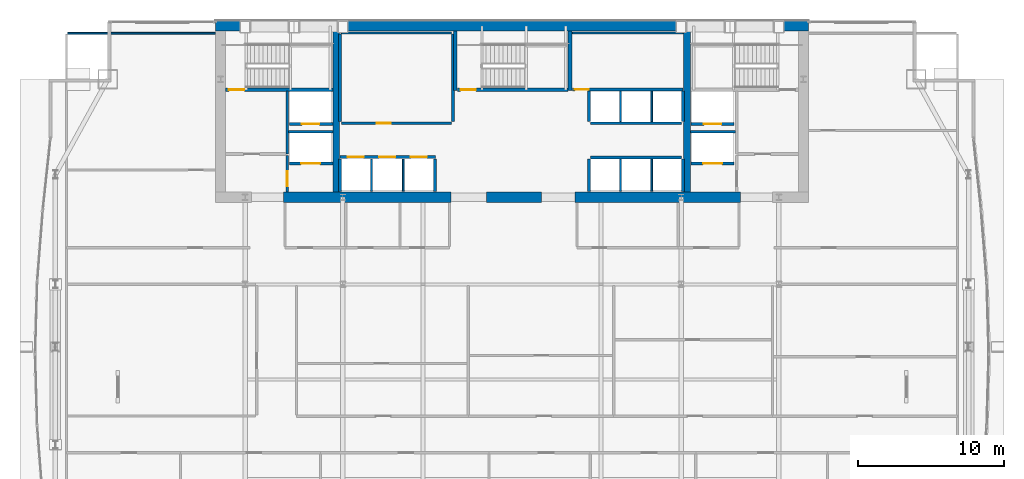
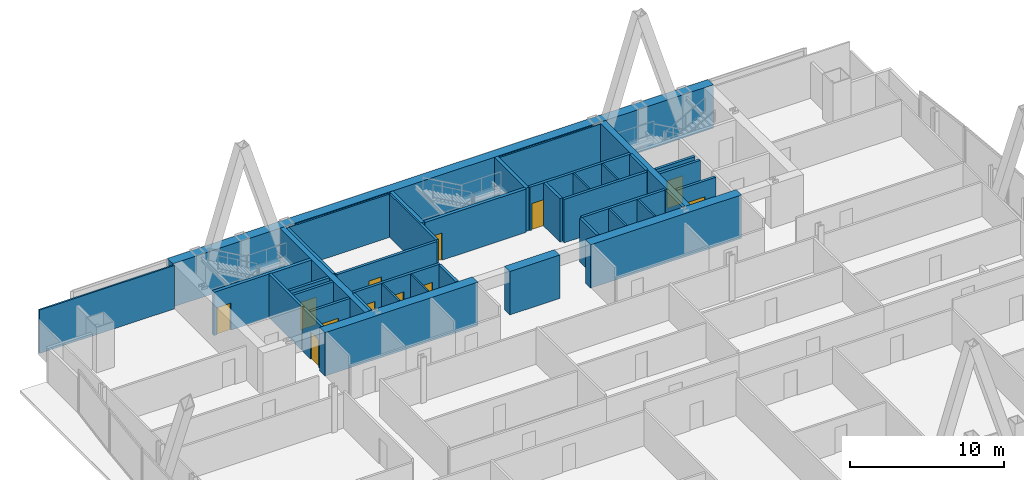
# One storey, part 27 of 30: 40 walls, 12 doors, 12 openings.
"""IFC4 building model written with IfcOpenShell, lengths in metres."""

from ifc_helpers import new_model, si_unit, direction, frame, frame_2d, origin, place, context, subcontext, project, spatial, rectangle, extrude, material, layer, layer_set, type_object, element, fill, save


model = new_model("IFC4")

# Units and contexts
model_context = context("Model", 3, precision=1e-05, world=origin(), true_north=direction((0.0, 1.0)))
body_context = subcontext(model_context, "Body", "Model", "MODEL_VIEW")
ifc_project = project(units=[si_unit("LENGTHUNIT", "METRE"), si_unit("AREAUNIT", "SQUARE_METRE"), si_unit("VOLUMEUNIT", "CUBIC_METRE"), si_unit("PLANEANGLEUNIT", "RADIAN"), si_unit("MASSUNIT", "GRAM", prefix="KILO")], contexts=[model_context])

# Site, building, storey
site_placement = place(None, origin())
site = spatial("IfcSite", under=ifc_project, at=site_placement, CompositionType="ELEMENT")
building_placement = place(site_placement, origin())
building = spatial("IfcBuilding", under=site, at=building_placement, Name="Khoronbel Lancet Exchange", CompositionType="ELEMENT")
storey_placement = place(building_placement, frame((0.0, 0.0, 136.199951171875)))
storey = spatial("IfcBuildingStorey", under=building, at=storey_placement, Name="L33", CompositionType="ELEMENT", Elevation=136.199951171875)

# Walls
ifc_material_1 = material(Name="Concrete C80/95", Category="concrete")
ifc_layer_1 = layer(ifc_material_1, 0.699951171875, Name="Concrete C80/95")
ifc_layer_set_1 = layer_set([ifc_layer_1], Name="Concrete C80/95")
wall_type_1 = type_object("IfcWallType", Name="WL-CW2", PredefinedType="SHEAR", material=ifc_layer_set_1)
wall_1_placement = place(storey_placement, frame((16.199951171875, 53.35009765625, 0.0), z_axis=(0.0, 0.0, 1.0), x_axis=(1.0, 0.0, 0.0)))
element("IfcWall", 1, at=wall_1_placement, inside=storey, type_object=wall_type_1, Name="Level L33 rear core north shear wall", PredefinedType="SHEAR", context=body_context, shape_type="SweptSolid", body=[
    extrude(rectangle(XDim=40.5, YDim=0.699951171875, at=frame_2d((20.25, 0.0))), origin(), (0.0, 0.0, 1.0), 3.43994140625),
])
wall_2_placement = place(storey_placement, frame((32.300048828125, 41.64990234375, 0.0), z_axis=(0.0, 0.0, 1.0), x_axis=(-1.0, 0.0, 0.0)))
element("IfcWall", 2, at=wall_2_placement, inside=storey, type_object=wall_type_1, Name="Level L33 rear core south shear wall pier P2", PredefinedType="SHEAR", context=body_context, shape_type="SweptSolid", body=[
    extrude(rectangle(XDim=11.449951171875, YDim=0.699951171875, at=frame_2d((5.72509765625, 0.0))), origin(), (0.0, 0.0, 1.0), 3.43994140625),
])
wall_3_placement = place(storey_placement, frame((38.449951171875, 41.64990234375, 0.0), z_axis=(0.0, 0.0, 1.0), x_axis=(-1.0, 0.0, 0.0)))
element("IfcWall", 3, at=wall_3_placement, inside=storey, type_object=wall_type_1, Name="Level L33 rear core south shear wall pier P3", PredefinedType="SHEAR", context=body_context, shape_type="SweptSolid", body=[
    extrude(rectangle(XDim=3.75, YDim=0.699951171875, at=frame_2d((1.875, 0.0))), origin(), (0.0, 0.0, 1.0), 3.43994140625),
])
wall_4_placement = place(storey_placement, frame((52.050048828125, 41.64990234375, 0.0), z_axis=(0.0, 0.0, 1.0), x_axis=(-1.0, 0.0, 0.0)))
element("IfcWall", 4, at=wall_4_placement, inside=storey, type_object=wall_type_1, Name="Level L33 rear core south shear wall pier P4", PredefinedType="SHEAR", context=body_context, shape_type="SweptSolid", body=[
    extrude(rectangle(XDim=11.300048828125, YDim=0.699951171875, at=frame_2d((5.64990234375, 0.0))), origin(), (0.0, 0.0, 1.0), 3.43994140625),
])
ifc_material_2 = material(Name="Acoustic Metal-Stud & Mineral-Wool Gypsum Partition 120 mm", Category="gypsum")
ifc_layer_2 = layer(ifc_material_2, 0.1201171875, Name="Acoustic Metal-Stud & Mineral-Wool Gypsum Partition 120 mm")
ifc_layer_set_2 = layer_set([ifc_layer_2], Name="Acoustic Metal-Stud & Mineral-Wool Gypsum Partition 120 mm")
wall_type_2 = type_object("IfcWallType", Name="WL-PRT120", PredefinedType="PARTITIONING", material=ifc_layer_set_2)
wall_5_placement = place(storey_placement, frame((6.094970703125, 52.840087890625, 0.0), z_axis=(0.0, 0.0, 1.0), x_axis=(1.0, 0.0, 0.0)))
element("IfcWall", 5, at=wall_5_placement, inside=storey, type_object=wall_type_2, Name="Level L33 interior partition PW-LIN-NW", PredefinedType="PARTITIONING", context=body_context, shape_type="SweptSolid", body=[
    extrude(rectangle(XDim=10.10498046875, YDim=0.1201171875, at=frame_2d((5.052490234375, 0.0))), origin(), (0.0, 0.0, 1.0), 3.43994140625),
])
ifc_material_3 = material(Name="Fire-Rated Metal-Stud & Mineral-Wool Gypsum Partition 120 mm", Category="gypsum")
ifc_layer_3 = layer(ifc_material_3, 0.1201171875, Name="Fire-Rated Metal-Stud & Mineral-Wool Gypsum Partition 120 mm")
ifc_layer_set_3 = layer_set([ifc_layer_3], Name="Fire-Rated Metal-Stud & Mineral-Wool Gypsum Partition 120 mm")
wall_type_3 = type_object("IfcWallType", Name="WL-PRT120F", PredefinedType="PARTITIONING", material=ifc_layer_set_3)
wall_6_placement = place(storey_placement, frame((24.804931640625, 52.860107421875, 0.0), z_axis=(0.0, 0.0, 1.0), x_axis=(1.0, 0.0, 0.0)))
element("IfcWall", 6, at=wall_6_placement, inside=storey, type_object=wall_type_3, Name="Level L33 interior partition CW-PL-RN", PredefinedType="PARTITIONING", context=body_context, shape_type="SweptSolid", body=[
    extrude(rectangle(XDim=7.510009765625, YDim=0.1201171875, at=frame_2d((3.7548828125, 0.0))), origin(), (0.0, 0.0, 1.0), 3.43994140625),
])
for number, where, z_axis, x_axis, name in (
    (7, (26.860107421875, 42.050048828125, 0.0), (0.0, 0.0, 1.0), (0.0, 1.0, 0.0), "Level L33 interior partition CW-PM-D1"),
    (8, (29.02001953125, 42.050048828125, 0.0), (0.0, 0.0, 1.0), (0.0, 1.0, 0.0), "Level L33 interior partition CW-PM-D2"),
):
    element("IfcWall", number, at=place(storey_placement, frame(where, z_axis=z_axis, x_axis=x_axis)), inside=storey, type_object=wall_type_3, Name=name, PredefinedType="PARTITIONING", context=body_context, shape_type="SweptSolid", body=[
        extrude(rectangle(XDim=2.199951171875, YDim=0.1201171875, at=frame_2d((1.10009765625, 0.0))), origin(), (0.0, 0.0, 1.0), 3.43994140625),
    ])
for number, where, z_axis, x_axis, name in (
    (9, (43.860107421875, 46.804931640625, 0.0), (0.0, 0.0, 1.0), (0.0, 1.0, 0.0), "Level L33 interior partition CW-PH-D1"),
    (10, (46.0, 46.804931640625, 0.0), (0.0, 0.0, 1.0), (0.0, 1.0, 0.0), "Level L33 interior partition CW-PH-D2"),
):
    element("IfcWall", number, at=place(storey_placement, frame(where, z_axis=z_axis, x_axis=x_axis)), inside=storey, type_object=wall_type_3, Name=name, PredefinedType="PARTITIONING", context=body_context, shape_type="SweptSolid", body=[
        extrude(rectangle(XDim=2.090087890625, YDim=0.1201171875, at=frame_2d((1.044921875, 0.0))), origin(), (0.0, 0.0, 1.0), 3.43994140625),
    ])
for number, where, z_axis, x_axis, name in (
    (11, (43.860107421875, 42.050048828125, 0.0), (0.0, 0.0, 1.0), (0.0, 1.0, 0.0), "Level L33 interior partition CW-PX-D1"),
    (12, (46.0, 42.050048828125, 0.0), (0.0, 0.0, 1.0), (0.0, 1.0, 0.0), "Level L33 interior partition CW-PX-D2"),
):
    element("IfcWall", number, at=place(storey_placement, frame(where, z_axis=z_axis, x_axis=x_axis)), inside=storey, type_object=wall_type_3, Name=name, PredefinedType="PARTITIONING", context=body_context, shape_type="SweptSolid", body=[
        extrude(rectangle(XDim=2.195068359375, YDim=0.1201171875, at=frame_2d((1.09765625, 0.0))), origin(), (0.0, 0.0, 1.0), 3.43994140625),
    ])
wall_7_placement = place(storey_placement, frame((40.580078125, 52.860107421875, 0.0), z_axis=(0.0, 0.0, 1.0), x_axis=(1.0, 0.0, 0.0)))
element("IfcWall", 13, at=wall_7_placement, inside=storey, type_object=wall_type_3, Name="Level L33 interior partition CW-SUP-NE-N", PredefinedType="PARTITIONING", context=body_context, shape_type="SweptSolid", body=[
    extrude(rectangle(XDim=7.559814453125, YDim=0.1201171875, at=frame_2d((3.77978515625, 0.0))), origin(), (0.0, 0.0, 1.0), 3.43994140625),
])

# Wall, openings, doors
ifc_material_4 = material(Name="Autoclaved Aerated Concrete Blockwork 200 mm", Category="masonry")
ifc_layer_4 = layer(ifc_material_4, 0.199951171875, Name="Autoclaved Aerated Concrete Blockwork 200 mm")
ifc_layer_set_4 = layer_set([ifc_layer_4], Name="Autoclaved Aerated Concrete Blockwork 200 mm")
wall_type_4 = type_object("IfcWallType", Name="WL-PRT200", PredefinedType="PARTITIONING", material=ifc_layer_set_4)
wall_8_placement = place(storey_placement, frame((24.68994140625, 44.39990234375, 0.0), z_axis=(0.0, 0.0, 1.0), x_axis=(1.0, 0.0, 0.0)))
wall_8 = element("IfcWall", 14, at=wall_8_placement, inside=storey, type_object=wall_type_4, Name="Level L33 elevator hoistway landing front wall PMW", PredefinedType="PARTITIONING", context=body_context, shape_type="SweptSolid", body=[
    extrude(rectangle(XDim=6.530029296875, YDim=0.199951171875, at=frame_2d((3.26513671875, 0.0))), origin(), (0.0, 0.0, 1.0), 3.43994140625),
])
opening_1_placement = place(wall_8_placement, frame((0.530029296875, 0.0, 0.0)))
opening_1 = element("IfcOpeningElement", 15, at=opening_1_placement, cuts=wall_8, Name="Opening LD-PM1", PredefinedType="OPENING", context=body_context, shape_type="SweptSolid", body=[
    extrude(rectangle(XDim=1.10009765625, YDim=2.179931640625, at=frame_2d((0.550048828125, 1.08984375))), frame((0.0, 0.10986328125, 0.0), z_axis=(0.0, -1.0, 0.0), x_axis=(1.0, 0.0, 0.0)), (0.0, 0.0, 1.0), 0.219970703125),
])
opening_2_placement = place(wall_8_placement, frame((2.68994140625, 0.0, 0.0)))
opening_2 = element("IfcOpeningElement", 16, at=opening_2_placement, cuts=wall_8, Name="Opening LD-PM2", PredefinedType="OPENING", context=body_context, shape_type="SweptSolid", body=[
    extrude(rectangle(XDim=1.10009765625, YDim=2.179931640625, at=frame_2d((0.550048828125, 1.08984375))), frame((0.0, 0.10986328125, 0.0), z_axis=(0.0, -1.0, 0.0), x_axis=(1.0, 0.0, 0.0)), (0.0, 0.0, 1.0), 0.219970703125),
])
opening_3_placement = place(wall_8_placement, frame((4.85009765625, 0.0, 0.0)))
opening_3 = element("IfcOpeningElement", 17, at=opening_3_placement, cuts=wall_8, Name="Opening LD-PM3", PredefinedType="OPENING", context=body_context, shape_type="SweptSolid", body=[
    extrude(rectangle(XDim=1.10009765625, YDim=2.179931640625, at=frame_2d((0.550048828125, 1.08984375))), frame((0.0, 0.10986328125, 0.0), z_axis=(0.0, -1.0, 0.0), x_axis=(1.0, 0.0, 0.0)), (0.0, 0.0, 1.0), 0.219970703125),
])
ifc_material_5 = material(Name="Brushed Bronze Bi-Parting Elevator Landing Door", Category="steel")
door_type_1 = type_object("IfcDoorType", Name="DR-LD-PAX", OperationType="NOTDEFINED", PredefinedType="DOOR", material=ifc_material_5)
door_1_placement = place(opening_1_placement, origin())
door_1 = element("IfcDoor", 18, at=door_1_placement, inside=storey, type_object=door_type_1, Name="Elevator landing sliding door LD-PM1 L33", OperationType="SLIDING_TO_LEFT", OverallHeight=2.179931640625, OverallWidth=1.10009765625, PredefinedType="DOOR", context=body_context, shape_type="SweptSolid", body=[
    extrude(rectangle(XDim=1.10009765625, YDim=2.179931640625, at=frame_2d((0.550048828125, 1.08984375))), frame((0.0, 0.02490234375, 0.0), z_axis=(0.0, -1.0, 0.0), x_axis=(1.0, 0.0, 0.0)), (0.0, 0.0, 1.0), 0.050048828125),
])
fill(opening_1, door_1)
door_2_placement = place(opening_2_placement, origin())
door_2 = element("IfcDoor", 19, at=door_2_placement, inside=storey, type_object=door_type_1, Name="Elevator landing sliding door LD-PM2 L33", OperationType="SLIDING_TO_LEFT", OverallHeight=2.179931640625, OverallWidth=1.10009765625, PredefinedType="DOOR", context=body_context, shape_type="SweptSolid", body=[
    extrude(rectangle(XDim=1.10009765625, YDim=2.179931640625, at=frame_2d((0.550048828125, 1.08984375))), frame((0.0, 0.02490234375, 0.0), z_axis=(0.0, -1.0, 0.0), x_axis=(1.0, 0.0, 0.0)), (0.0, 0.0, 1.0), 0.050048828125),
])
fill(opening_2, door_2)
door_3_placement = place(opening_3_placement, origin())
door_3 = element("IfcDoor", 20, at=door_3_placement, inside=storey, type_object=door_type_1, Name="Elevator landing sliding door LD-PM3 L33", OperationType="SLIDING_TO_LEFT", OverallHeight=2.179931640625, OverallWidth=1.10009765625, PredefinedType="DOOR", context=body_context, shape_type="SweptSolid", body=[
    extrude(rectangle(XDim=1.10009765625, YDim=2.179931640625, at=frame_2d((0.550048828125, 1.08984375))), frame((0.0, 0.02490234375, 0.0), z_axis=(0.0, -1.0, 0.0), x_axis=(1.0, 0.0, 0.0)), (0.0, 0.0, 1.0), 0.050048828125),
])
fill(opening_3, door_3)

# Wall, opening, door
wall_9_placement = place(storey_placement, frame((51.610107421875, 43.949951171875, 0.0), z_axis=(0.0, 0.0, 1.0), x_axis=(-1.0, 0.0, 0.0)))
wall_9 = element("IfcWall", 21, at=wall_9_placement, inside=storey, type_object=wall_type_4, Name="Level L33 elevator hoistway landing front wall SVLE", PredefinedType="PARTITIONING", context=body_context, shape_type="SweptSolid", body=[
    extrude(rectangle(XDim=2.920166015625, YDim=0.199951171875, at=frame_2d((1.4599609375, 0.0))), origin(), (0.0, 0.0, 1.0), 3.43994140625),
])
opening_4_placement = place(wall_9_placement, frame((0.81005859375, 0.0, 0.0)))
opening_4 = element("IfcOpeningElement", 22, at=opening_4_placement, cuts=wall_9, Name="Opening LD-SVL2", PredefinedType="OPENING", context=body_context, shape_type="SweptSolid", body=[
    extrude(rectangle(XDim=1.300048828125, YDim=2.179931640625, at=frame_2d((0.64990234375, 1.08984375))), frame((0.0, 0.10986328125, 0.0), z_axis=(0.0, -1.0, 0.0), x_axis=(1.0, 0.0, 0.0)), (0.0, 0.0, 1.0), 0.219970703125),
])
ifc_material_6 = material(Name="Heavy-Duty Bi-Parting Goods Lift Landing Door", Category="steel")
door_type_2 = type_object("IfcDoorType", Name="DR-LD-SVL", OperationType="NOTDEFINED", PredefinedType="DOOR", material=ifc_material_6)
door_4_placement = place(opening_4_placement, origin())
door_4 = element("IfcDoor", 23, at=door_4_placement, inside=storey, type_object=door_type_2, Name="Elevator landing sliding door LD-SVL2 L33", OperationType="SLIDING_TO_LEFT", OverallHeight=2.179931640625, OverallWidth=1.300048828125, PredefinedType="DOOR", context=body_context, shape_type="SweptSolid", body=[
    extrude(rectangle(XDim=1.300048828125, YDim=2.179931640625, at=frame_2d((0.64990234375, 1.08984375))), frame((0.0, 0.02490234375, 0.0), z_axis=(0.0, -1.0, 0.0), x_axis=(1.0, 0.0, 0.0)), (0.0, 0.0, 1.0), 0.050048828125),
])
fill(opening_4, door_4)

wall_10_placement = place(storey_placement, frame((24.2099609375, 43.949951171875, 0.0), z_axis=(0.0, 0.0, 1.0), x_axis=(-1.0, 0.0, 0.0)))
wall_10 = element("IfcWall", 24, at=wall_10_placement, inside=storey, type_object=wall_type_4, Name="Level L33 elevator hoistway landing front wall SVLW", PredefinedType="PARTITIONING", context=body_context, shape_type="SweptSolid", body=[
    extrude(rectangle(XDim=2.969970703125, YDim=0.199951171875, at=frame_2d((1.48486328125, 0.0))), origin(), (0.0, 0.0, 1.0), 3.43994140625),
])
opening_5_placement = place(wall_10_placement, frame((0.860107421875, 0.0, 0.0)))
opening_5 = element("IfcOpeningElement", 25, at=opening_5_placement, cuts=wall_10, Name="Opening LD-SVL1", PredefinedType="OPENING", context=body_context, shape_type="SweptSolid", body=[
    extrude(rectangle(XDim=1.300048828125, YDim=2.179931640625, at=frame_2d((0.64990234375, 1.08984375))), frame((0.0, 0.10986328125, 0.0), z_axis=(0.0, -1.0, 0.0), x_axis=(1.0, 0.0, 0.0)), (0.0, 0.0, 1.0), 0.219970703125),
])
door_5_placement = place(opening_5_placement, origin())
door_5 = element("IfcDoor", 26, at=door_5_placement, inside=storey, type_object=door_type_2, Name="Elevator landing sliding door LD-SVL1 L33", OperationType="SLIDING_TO_LEFT", OverallHeight=2.179931640625, OverallWidth=1.300048828125, PredefinedType="DOOR", context=body_context, shape_type="SweptSolid", body=[
    extrude(rectangle(XDim=1.300048828125, YDim=2.179931640625, at=frame_2d((0.64990234375, 1.08984375))), frame((0.0, 0.02490234375, 0.0), z_axis=(0.0, -1.0, 0.0), x_axis=(1.0, 0.0, 0.0)), (0.0, 0.0, 1.0), 0.050048828125),
])
fill(opening_5, door_5)

wall_11_placement = place(storey_placement, frame((51.610107421875, 46.64990234375, 0.0), z_axis=(0.0, 0.0, 1.0), x_axis=(-1.0, 0.0, 0.0)))
wall_11 = element("IfcWall", 27, at=wall_11_placement, inside=storey, type_object=wall_type_4, Name="Level L33 elevator hoistway landing front wall FFLE", PredefinedType="PARTITIONING", context=body_context, shape_type="SweptSolid", body=[
    extrude(rectangle(XDim=2.920166015625, YDim=0.199951171875, at=frame_2d((1.4599609375, 0.0))), origin(), (0.0, 0.0, 1.0), 3.43994140625),
])
opening_6_placement = place(wall_11_placement, frame((0.860107421875, 0.0, 0.0)))
opening_6 = element("IfcOpeningElement", 28, at=opening_6_placement, cuts=wall_11, Name="Opening LD-FFL2", PredefinedType="OPENING", context=body_context, shape_type="SweptSolid", body=[
    extrude(rectangle(XDim=1.199951171875, YDim=2.179931640625, at=frame_2d((0.60009765625, 1.08984375))), frame((0.0, 0.10986328125, 0.0), z_axis=(0.0, -1.0, 0.0), x_axis=(1.0, 0.0, 0.0)), (0.0, 0.0, 1.0), 0.219970703125),
])
ifc_material_7 = material(Name="Fire-Rated Stainless Bi-Parting Firefighting Lift Door", Category="steel")
door_type_3 = type_object("IfcDoorType", Name="DR-LD-FFL", OperationType="NOTDEFINED", PredefinedType="DOOR", material=ifc_material_7)
door_6_placement = place(opening_6_placement, origin())
door_6 = element("IfcDoor", 29, at=door_6_placement, inside=storey, type_object=door_type_3, Name="Elevator landing sliding door LD-FFL2 L33", OperationType="SLIDING_TO_LEFT", OverallHeight=2.179931640625, OverallWidth=1.199951171875, PredefinedType="DOOR", context=body_context, shape_type="SweptSolid", body=[
    extrude(rectangle(XDim=1.199951171875, YDim=2.179931640625, at=frame_2d((0.60009765625, 1.08984375))), frame((0.0, 0.02490234375, 0.0), z_axis=(0.0, -1.0, 0.0), x_axis=(1.0, 0.0, 0.0)), (0.0, 0.0, 1.0), 0.050048828125),
])
fill(opening_6, door_6)

wall_12_placement = place(storey_placement, frame((24.2099609375, 46.64990234375, 0.0), z_axis=(0.0, 0.0, 1.0), x_axis=(-1.0, 0.0, 0.0)))
wall_12 = element("IfcWall", 30, at=wall_12_placement, inside=storey, type_object=wall_type_4, Name="Level L33 elevator hoistway landing front wall FFLW", PredefinedType="PARTITIONING", context=body_context, shape_type="SweptSolid", body=[
    extrude(rectangle(XDim=2.969970703125, YDim=0.199951171875, at=frame_2d((1.48486328125, 0.0))), origin(), (0.0, 0.0, 1.0), 3.43994140625),
])
opening_7_placement = place(wall_12_placement, frame((0.909912109375, 0.0, 0.0)))
opening_7 = element("IfcOpeningElement", 31, at=opening_7_placement, cuts=wall_12, Name="Opening LD-FFL1", PredefinedType="OPENING", context=body_context, shape_type="SweptSolid", body=[
    extrude(rectangle(XDim=1.199951171875, YDim=2.179931640625, at=frame_2d((0.60009765625, 1.08984375))), frame((0.0, 0.10986328125, 0.0), z_axis=(0.0, -1.0, 0.0), x_axis=(1.0, 0.0, 0.0)), (0.0, 0.0, 1.0), 0.219970703125),
])
door_7_placement = place(opening_7_placement, origin())
door_7 = element("IfcDoor", 32, at=door_7_placement, inside=storey, type_object=door_type_3, Name="Elevator landing sliding door LD-FFL1 L33", OperationType="SLIDING_TO_LEFT", OverallHeight=2.179931640625, OverallWidth=1.199951171875, PredefinedType="DOOR", context=body_context, shape_type="SweptSolid", body=[
    extrude(rectangle(XDim=1.199951171875, YDim=2.179931640625, at=frame_2d((0.60009765625, 1.08984375))), frame((0.0, 0.02490234375, 0.0), z_axis=(0.0, -1.0, 0.0), x_axis=(1.0, 0.0, 0.0)), (0.0, 0.0, 1.0), 0.050048828125),
])
fill(opening_7, door_7)

# Walls
wall_13_placement = place(storey_placement, frame((21.10009765625, 44.60009765625, 0.0), z_axis=(0.0, 0.0, 1.0), x_axis=(0.0, 1.0, 0.0)))
element("IfcWall", 33, at=wall_13_placement, inside=storey, type_object=wall_type_4, Name="Level L33 interior partition CW-FFLW-E", PredefinedType="PARTITIONING", context=body_context, shape_type="SweptSolid", body=[
    extrude(rectangle(XDim=4.2998046875, YDim=0.199951171875, at=frame_2d((2.14990234375, 0.0))), origin(), (0.0, 0.0, 1.0), 3.43994140625),
])
wall_14_placement = place(storey_placement, frame((21.199951171875, 46.1201171875, 0.0), z_axis=(0.0, 0.0, 1.0), x_axis=(1.0, 0.0, 0.0)))
element("IfcWall", 34, at=wall_14_placement, inside=storey, type_object=wall_type_4, Name="Level L33 interior partition CW-FFL1-S", PredefinedType="PARTITIONING", context=body_context, shape_type="SweptSolid", body=[
    extrude(rectangle(XDim=3.02001953125, YDim=0.199951171875, at=frame_2d((1.510009765625, 0.0))), origin(), (0.0, 0.0, 1.0), 3.43994140625),
])

# Wall, opening, door
wall_15_placement = place(storey_placement, frame((21.10009765625, 42.0, 0.0), z_axis=(0.0, 0.0, 1.0), x_axis=(0.0, 1.0, 0.0)))
wall_15 = element("IfcWall", 35, at=wall_15_placement, inside=storey, type_object=wall_type_4, Name="Level L33 interior partition CW-SVLW-W", PredefinedType="PARTITIONING", context=body_context, shape_type="SweptSolid", body=[
    extrude(rectangle(XDim=2.4951171875, YDim=0.199951171875, at=frame_2d((1.24755859375, 0.0))), origin(), (0.0, 0.0, 1.0), 3.43994140625),
])
opening_8_placement = place(wall_15_placement, frame((0.3798828125, 0.0, 0.0)))
opening_8 = element("IfcOpeningElement", 36, at=opening_8_placement, cuts=wall_15, Name="Opening FD1", PredefinedType="OPENING", context=body_context, shape_type="SweptSolid", body=[
    extrude(rectangle(XDim=1.050048828125, YDim=2.14990234375, at=frame_2d((0.52490234375, 1.074951171875))), frame((0.0, 0.10986328125, 0.0), z_axis=(0.0, -1.0, 0.0), x_axis=(1.0, 0.0, 0.0)), (0.0, 0.0, 1.0), 0.219970703125),
])
ifc_material_8 = material(Name="Fire-Rated Painted Steel Door Assembly", Category="steel")
door_type_4 = type_object("IfcDoorType", Name="DR-FD1", OperationType="NOTDEFINED", PredefinedType="DOOR", material=ifc_material_8)
door_8_placement = place(opening_8_placement, origin())
door_8 = element("IfcDoor", 37, at=door_8_placement, inside=storey, type_object=door_type_4, Name="West service lift lobby door L33-1", OperationType="SINGLE_SWING_RIGHT", OverallHeight=2.14990234375, OverallWidth=1.050048828125, PredefinedType="DOOR", context=body_context, shape_type="SweptSolid", body=[
    extrude(rectangle(XDim=1.050048828125, YDim=2.14990234375, at=frame_2d((0.52490234375, 1.074951171875))), frame((0.0, 0.02490234375, 0.0), z_axis=(0.0, -1.0, 0.0), x_axis=(1.0, 0.0, 0.0)), (0.0, 0.0, 1.0), 0.050048828125),
])
fill(opening_8, door_8)

# Walls
wall_16_placement = place(storey_placement, frame((48.6298828125, 46.1201171875, 0.0), z_axis=(0.0, 0.0, 1.0), x_axis=(1.0, 0.0, 0.0)))
element("IfcWall", 38, at=wall_16_placement, inside=storey, type_object=wall_type_4, Name="Level L33 interior partition CW-FFL2-S", PredefinedType="PARTITIONING", context=body_context, shape_type="SweptSolid", body=[
    extrude(rectangle(XDim=3.070068359375, YDim=0.199951171875, at=frame_2d((1.53515625, 0.0))), origin(), (0.0, 0.0, 1.0), 3.43994140625),
])
for number, where, z_axis, x_axis, name in (
    (39, (24.699951171875, 46.804931640625, 0.0), (0.0, 0.0, 1.0), (0.0, 1.0, 0.0), "Level L33 interior partition CW-PL-RW"),
    (40, (32.419921875, 46.804931640625, 0.0), (0.0, 0.0, 1.0), (0.0, 1.0, 0.0), "Level L33 interior partition CW-PL-RE"),
):
    element("IfcWall", number, at=place(storey_placement, frame(where, z_axis=z_axis, x_axis=x_axis)), inside=storey, type_object=wall_type_4, Name=name, PredefinedType="PARTITIONING", context=body_context, shape_type="SweptSolid", body=[
        extrude(rectangle(XDim=5.989990234375, YDim=0.199951171875, at=frame_2d((2.9951171875, 0.0))), origin(), (0.0, 0.0, 1.0), 3.43994140625),
    ])

# Wall, opening, door
wall_17_placement = place(storey_placement, frame((24.804931640625, 46.699951171875, 0.0), z_axis=(0.0, 0.0, 1.0), x_axis=(1.0, 0.0, 0.0)))
wall_17 = element("IfcWall", 41, at=wall_17_placement, inside=storey, type_object=wall_type_4, Name="Level L33 interior partition CW-PL-RF", PredefinedType="PARTITIONING", context=body_context, shape_type="SweptSolid", body=[
    extrude(rectangle(XDim=7.510009765625, YDim=0.199951171875, at=frame_2d((3.7548828125, 0.0))), origin(), (0.0, 0.0, 1.0), 3.43994140625),
])
opening_9_placement = place(wall_17_placement, frame((2.39990234375, 0.0, 0.0)))
opening_9 = element("IfcOpeningElement", 42, at=opening_9_placement, cuts=wall_17, Name="Opening FD3", PredefinedType="OPENING", context=body_context, shape_type="SweptSolid", body=[
    extrude(rectangle(XDim=0.949951171875, YDim=2.10009765625, at=frame_2d((0.47509765625, 1.050048828125))), frame((0.0, 0.10986328125, 0.0), z_axis=(0.0, -1.0, 0.0), x_axis=(1.0, 0.0, 0.0)), (0.0, 0.0, 1.0), 0.219970703125),
])
ifc_material_9 = material(Name="Fire-Rated Steel Plant & Riser Door Assembly", Category="steel")
door_type_5 = type_object("IfcDoorType", Name="DR-FD3", OperationType="NOTDEFINED", PredefinedType="DOOR", material=ifc_material_9)
door_9_placement = place(opening_9_placement, origin())
door_9 = element("IfcDoor", 43, at=door_9_placement, inside=storey, type_object=door_type_5, Name="Reclaimed PL room door L33-1", OperationType="SINGLE_SWING_LEFT", OverallHeight=2.10009765625, OverallWidth=0.949951171875, PredefinedType="DOOR", context=body_context, shape_type="SweptSolid", body=[
    extrude(rectangle(XDim=0.949951171875, YDim=2.10009765625, at=frame_2d((0.47509765625, 1.050048828125))), frame((0.0, 0.02490234375, 0.0), z_axis=(0.0, -1.0, 0.0), x_axis=(1.0, 0.0, 0.0)), (0.0, 0.0, 1.0), 0.050048828125),
])
fill(opening_9, door_9)

# Walls
for number, where, z_axis, x_axis, name in (
    (44, (24.699951171875, 42.050048828125, 0.0), (0.0, 0.0, 1.0), (0.0, 1.0, 0.0), "Level L33 interior partition CW-PM-W"),
    (45, (31.179931640625, 42.050048828125, 0.0), (0.0, 0.0, 1.0), (0.0, 1.0, 0.0), "Level L33 interior partition CW-PM-E"),
):
    element("IfcWall", number, at=place(storey_placement, frame(where, z_axis=z_axis, x_axis=x_axis)), inside=storey, type_object=wall_type_4, Name=name, PredefinedType="PARTITIONING", context=body_context, shape_type="SweptSolid", body=[
        extrude(rectangle(XDim=2.199951171875, YDim=0.199951171875, at=frame_2d((1.10009765625, 0.0))), origin(), (0.0, 0.0, 1.0), 3.43994140625),
    ])
wall_18_placement = place(storey_placement, frame((41.824951171875, 46.699951171875, 0.0), z_axis=(0.0, 0.0, 1.0), x_axis=(1.0, 0.0, 0.0)))
element("IfcWall", 46, at=wall_18_placement, inside=storey, type_object=wall_type_4, Name="Level L33 interior partition CW-PH-EXP", PredefinedType="PARTITIONING", context=body_context, shape_type="SweptSolid", body=[
    extrude(rectangle(XDim=6.2099609375, YDim=0.199951171875, at=frame_2d((3.10498046875, 0.0))), origin(), (0.0, 0.0, 1.0), 3.43994140625),
])
for number, where, z_axis, x_axis, name in (
    (47, (41.719970703125, 46.804931640625, 0.0), (0.0, 0.0, 1.0), (0.0, 1.0, 0.0), "Level L33 interior partition CW-PH-W"),
    (48, (48.139892578125, 46.804931640625, 0.0), (0.0, 0.0, 1.0), (0.0, 1.0, 0.0), "Level L33 interior partition CW-PH-E"),
):
    element("IfcWall", number, at=place(storey_placement, frame(where, z_axis=z_axis, x_axis=x_axis)), inside=storey, type_object=wall_type_4, Name=name, PredefinedType="PARTITIONING", context=body_context, shape_type="SweptSolid", body=[
        extrude(rectangle(XDim=2.090087890625, YDim=0.199951171875, at=frame_2d((1.044921875, 0.0))), origin(), (0.0, 0.0, 1.0), 3.43994140625),
    ])
wall_19_placement = place(storey_placement, frame((41.824951171875, 44.35009765625, 0.0), z_axis=(0.0, 0.0, 1.0), x_axis=(1.0, 0.0, 0.0)))
element("IfcWall", 49, at=wall_19_placement, inside=storey, type_object=wall_type_4, Name="Level L33 interior partition CW-PX-EXP", PredefinedType="PARTITIONING", context=body_context, shape_type="SweptSolid", body=[
    extrude(rectangle(XDim=6.2099609375, YDim=0.199951171875, at=frame_2d((3.10498046875, 0.0))), origin(), (0.0, 0.0, 1.0), 3.43994140625),
])
for number, where, z_axis, x_axis, name in (
    (50, (41.719970703125, 42.050048828125, 0.0), (0.0, 0.0, 1.0), (0.0, 1.0, 0.0), "Level L33 interior partition CW-PX-W"),
    (51, (48.139892578125, 42.050048828125, 0.0), (0.0, 0.0, 1.0), (0.0, 1.0, 0.0), "Level L33 interior partition CW-PX-E"),
):
    element("IfcWall", number, at=place(storey_placement, frame(where, z_axis=z_axis, x_axis=x_axis)), inside=storey, type_object=wall_type_4, Name=name, PredefinedType="PARTITIONING", context=body_context, shape_type="SweptSolid", body=[
        extrude(rectangle(XDim=2.195068359375, YDim=0.199951171875, at=frame_2d((1.09765625, 0.0))), origin(), (0.0, 0.0, 1.0), 3.43994140625),
    ])

# Wall, opening, door
wall_20_placement = place(storey_placement, frame((40.580078125, 49.0, 0.0), z_axis=(0.0, 0.0, 1.0), x_axis=(1.0, 0.0, 0.0)))
wall_20 = element("IfcWall", 52, at=wall_20_placement, inside=storey, type_object=wall_type_4, Name="Level L33 interior partition CW-SUP-NE-S", PredefinedType="PARTITIONING", context=body_context, shape_type="SweptSolid", body=[
    extrude(rectangle(XDim=7.559814453125, YDim=0.199951171875, at=frame_2d((3.77978515625, 0.0))), origin(), (0.0, 0.0, 1.0), 3.43994140625),
])
opening_10_placement = place(wall_20_placement, frame((0.159912109375, 0.0, 0.0)))
opening_10 = element("IfcOpeningElement", 53, at=opening_10_placement, cuts=wall_20, Name="Opening FD3", PredefinedType="OPENING", context=body_context, shape_type="SweptSolid", body=[
    extrude(rectangle(XDim=0.949951171875, YDim=2.10009765625, at=frame_2d((0.47509765625, 1.050048828125))), frame((0.0, 0.10986328125, 0.0), z_axis=(0.0, -1.0, 0.0), x_axis=(1.0, 0.0, 0.0)), (0.0, 0.0, 1.0), 0.219970703125),
])
door_10_placement = place(opening_10_placement, origin())
door_10 = element("IfcDoor", 54, at=door_10_placement, inside=storey, type_object=door_type_5, Name="Core NE support room door L33-1", OperationType="SINGLE_SWING_RIGHT", OverallHeight=2.10009765625, OverallWidth=0.949951171875, PredefinedType="DOOR", context=body_context, shape_type="SweptSolid", body=[
    extrude(rectangle(XDim=0.949951171875, YDim=2.10009765625, at=frame_2d((0.47509765625, 1.050048828125))), frame((0.0, 0.02490234375, 0.0), z_axis=(0.0, -1.0, 0.0), x_axis=(1.0, 0.0, 0.0)), (0.0, 0.0, 1.0), 0.050048828125),
])
fill(opening_10, door_10)

# Walls
ifc_layer_5 = layer(ifc_material_1, 0.449951171875, Name="Concrete C80/95")
ifc_layer_set_5 = layer_set([ifc_layer_5], Name="Concrete C80/95")
wall_type_5 = type_object("IfcWallType", Name="WL-SW1", PredefinedType="SHEAR", material=ifc_layer_set_5)
for number, where, z_axis, x_axis, name in (
    (55, (24.449951171875, 42.0, 0.0), (0.0, 0.0, 1.0), (0.0, 1.0, 0.0), "Level L33 rear core internal spine shear wall IW"),
    (56, (48.39990234375, 42.0, 0.0), (0.0, 0.0, 1.0), (0.0, 1.0, 0.0), "Level L33 rear core internal spine shear wall IE"),
):
    element("IfcWall", number, at=place(storey_placement, frame(where, z_axis=z_axis, x_axis=x_axis)), inside=storey, type_object=wall_type_5, Name=name, PredefinedType="SHEAR", context=body_context, shape_type="SweptSolid", body=[
        extrude(rectangle(XDim=11.0, YDim=0.449951171875, at=frame_2d((5.5, 0.0))), origin(), (0.0, 0.0, 1.0), 3.43994140625),
    ])
ifc_material_10 = material(Name="Concrete C60/75", Category="concrete")
ifc_layer_6 = layer(ifc_material_10, 0.260009765625, Name="Concrete C60/75")
ifc_layer_set_6 = layer_set([ifc_layer_6], Name="Concrete C60/75")
wall_type_6 = type_object("IfcWallType", Name="WL-SW3", PredefinedType="SHEAR", material=ifc_layer_set_6)
for number, where, z_axis, x_axis, name in (
    (57, (32.580078125, 48.949951171875, 0.0), (0.0, 0.0, 1.0), (0.0, 1.0, 0.0), "Level L33 central stairwell structural shear wall ST3W"),
    (58, (40.419921875, 48.949951171875, 0.0), (0.0, 0.0, 1.0), (0.0, 1.0, 0.0), "Level L33 central stairwell structural shear wall ST3E"),
):
    element("IfcWall", number, at=place(storey_placement, frame(where, z_axis=z_axis, x_axis=x_axis)), inside=storey, type_object=wall_type_6, Name=name, PredefinedType="SHEAR", context=body_context, shape_type="SweptSolid", body=[
        extrude(rectangle(XDim=4.050048828125, YDim=0.260009765625, at=frame_2d((2.02490234375, 0.0))), origin(), (0.0, 0.0, 1.0), 3.43994140625),
    ])

# Wall, opening, door
wall_21_placement = place(storey_placement, frame((16.89990234375, 48.97998046875, 0.0), z_axis=(0.0, 0.0, 1.0), x_axis=(1.0, 0.0, 0.0)))
wall_21 = element("IfcWall", 59, at=wall_21_placement, inside=storey, type_object=wall_type_6, Name="Level L33 west stairwell structural south wall", PredefinedType="SHEAR", context=body_context, shape_type="SweptSolid", body=[
    extrude(rectangle(XDim=7.320068359375, YDim=0.239990234375, at=frame_2d((3.66015625, 0.0))), origin(), (0.0, 0.0, 1.0), 3.43994140625),
])
opening_11_placement = place(wall_21_placement, frame((0.219970703125, 0.0, 0.0)))
opening_11 = element("IfcOpeningElement", 60, at=opening_11_placement, cuts=wall_21, Name="Opening SD1", PredefinedType="OPENING", context=body_context, shape_type="SweptSolid", body=[
    extrude(rectangle(XDim=1.050048828125, YDim=2.14990234375, at=frame_2d((0.52490234375, 1.074951171875))), frame((0.0, 0.1298828125, 0.0), z_axis=(0.0, -1.0, 0.0), x_axis=(1.0, 0.0, 0.0)), (0.0, 0.0, 1.0), 0.260009765625),
])
ifc_material_11 = material(Name="Fire-Rated Steel Stairwell Door Assembly", Category="steel")
door_type_6 = type_object("IfcDoorType", Name="DR-SD1", OperationType="NOTDEFINED", PredefinedType="DOOR", material=ifc_material_11)
door_11_placement = place(opening_11_placement, origin())
door_11 = element("IfcDoor", 61, at=door_11_placement, inside=storey, type_object=door_type_6, Name="Protected exit stair ST1 door L33", OperationType="SINGLE_SWING_LEFT", OverallHeight=2.14990234375, OverallWidth=1.050048828125, PredefinedType="DOOR", context=body_context, shape_type="SweptSolid", body=[
    extrude(rectangle(XDim=1.050048828125, YDim=2.14990234375, at=frame_2d((0.52490234375, 1.074951171875))), frame((0.0, 0.02490234375, 0.0), z_axis=(0.0, -1.0, 0.0), x_axis=(1.0, 0.0, 0.0)), (0.0, 0.0, 1.0), 0.050048828125),
])
fill(opening_11, door_11)

wall_22_placement = place(storey_placement, frame((32.719970703125, 48.97998046875, 0.0), z_axis=(0.0, 0.0, 1.0), x_axis=(1.0, 0.0, 0.0)))
wall_22 = element("IfcWall", 62, at=wall_22_placement, inside=storey, type_object=wall_type_6, Name="Level L33 central stairwell structural south wall", PredefinedType="SHEAR", context=body_context, shape_type="SweptSolid", body=[
    extrude(rectangle(XDim=7.56005859375, YDim=0.239990234375, at=frame_2d((3.780029296875, 0.0))), origin(), (0.0, 0.0, 1.0), 3.43994140625),
])
opening_12_placement = place(wall_22_placement, frame((0.219970703125, 0.0, 0.0)))
opening_12 = element("IfcOpeningElement", 63, at=opening_12_placement, cuts=wall_22, Name="Opening SD1", PredefinedType="OPENING", context=body_context, shape_type="SweptSolid", body=[
    extrude(rectangle(XDim=1.050048828125, YDim=2.14990234375, at=frame_2d((0.52490234375, 1.074951171875))), frame((0.0, 0.1298828125, 0.0), z_axis=(0.0, -1.0, 0.0), x_axis=(1.0, 0.0, 0.0)), (0.0, 0.0, 1.0), 0.260009765625),
])
door_12_placement = place(opening_12_placement, origin())
door_12 = element("IfcDoor", 64, at=door_12_placement, inside=storey, type_object=door_type_6, Name="Protected exit stair ST3 door L33", OperationType="SINGLE_SWING_LEFT", OverallHeight=2.14990234375, OverallWidth=1.050048828125, PredefinedType="DOOR", context=body_context, shape_type="SweptSolid", body=[
    extrude(rectangle(XDim=1.050048828125, YDim=2.14990234375, at=frame_2d((0.52490234375, 1.074951171875))), frame((0.0, 0.02490234375, 0.0), z_axis=(0.0, -1.0, 0.0), x_axis=(1.0, 0.0, 0.0)), (0.0, 0.0, 1.0), 0.050048828125),
])
fill(opening_12, door_12)

save(model, "model.ifc")
